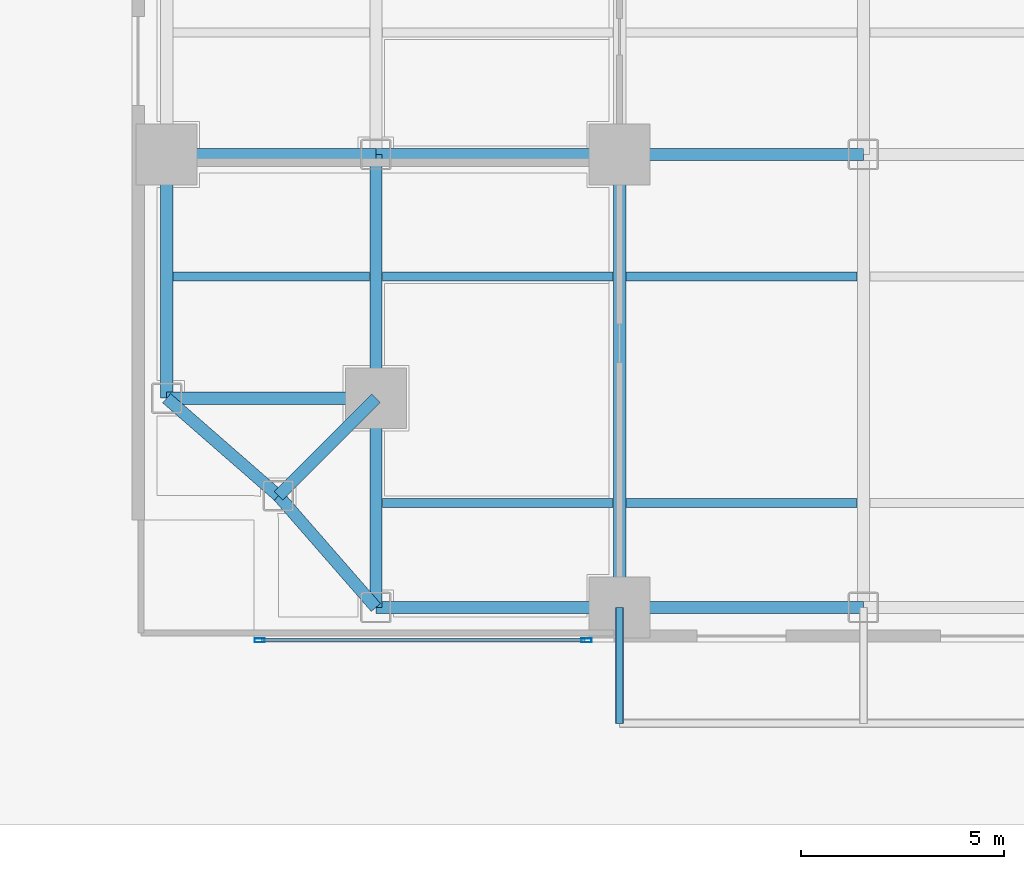
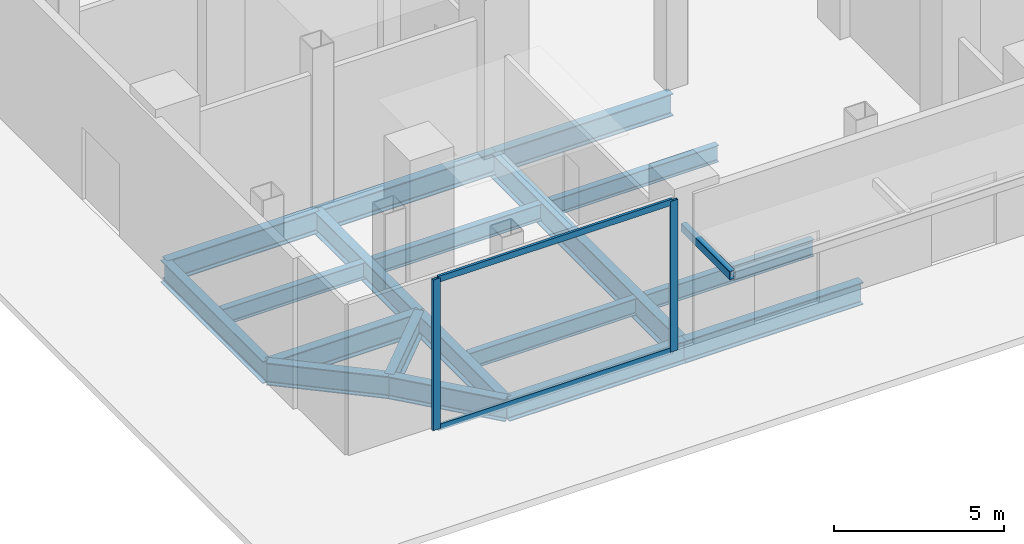
# One storey, part 3 of 27: 19 beams, 4 members, 1 element without a shape of its own.
"""IFC4 building model written with IfcOpenShell, lengths in metres."""

from ifc_helpers import new_model, si_unit, direction, frame, origin, origin_2d, place, context, subcontext, project, spatial, hollow_rectangle, i_section, extrude, material, layer, layer_set, material_profile, profile_set, type_object, element, aggregate, save


model = new_model("IFC4")

# Units and contexts
model_context = context("Model", 3, precision=1e-05, world=origin(), true_north=direction((0.0, 1.0)))
body_context = subcontext(model_context, "Body", "Model", "MODEL_VIEW")
ifc_project = project(units=[si_unit("LENGTHUNIT", "METRE"), si_unit("AREAUNIT", "SQUARE_METRE"), si_unit("VOLUMEUNIT", "CUBIC_METRE"), si_unit("PLANEANGLEUNIT", "RADIAN"), si_unit("MASSUNIT", "GRAM", prefix="KILO"), si_unit("THERMODYNAMICTEMPERATUREUNIT", "KELVIN"), si_unit("POWERUNIT", "WATT")], contexts=[model_context])

# Site, building, storey
site_placement = place(None, origin())
site = spatial("IfcSite", under=ifc_project, at=site_placement, CompositionType="ELEMENT")
building_placement = place(site_placement, origin())
building = spatial("IfcBuilding", under=site, at=building_placement, Name="Svarakhadi Broadcast Tower", CompositionType="ELEMENT")
storey_placement = place(building_placement, origin())
storey = spatial("IfcBuildingStorey", under=building, at=storey_placement, Name="L00", CompositionType="ELEMENT", Elevation=0.0)

# Beams
ifc_material_1 = material(Name="Steel S355J2 (IS 2062 E350C)", Category="steel")
ifc_material_profile_1 = material_profile(ifc_material_1, i_section(OverallWidth=0.219970703125, OverallDepth=0.60009765625, WebThickness=0.011962890625, FlangeThickness=0.01904296875, FilletRadius=0.02392578125, at=origin_2d()), Name="NPB 600x220x122")
ifc_profile_set_1 = profile_set([ifc_material_profile_1], Name="Steel S355J2 (IS 2062 E350C)")
beam_type_1 = type_object("IfcBeamType", Name="Beam_NPB600", PredefinedType="BEAM", material=ifc_profile_set_1)
beam_1_placement = place(storey_placement, frame((1.010009765625, 9.0, -0.64990234375), z_axis=(1.0, 0.0, 0.0), x_axis=(0.0, 1.0, 0.0)))
element("IfcBeam", 1, at=beam_1_placement, inside=storey, type_object=beam_type_1, Name="L00 Secondary Composite Beam SB001", PredefinedType="BEAM", context=body_context, shape_type="SweptSolid", body=[
    extrude(i_section(OverallWidth=0.219970703125, OverallDepth=0.60009765625, WebThickness=0.011962890625, FlangeThickness=0.01904296875, FilletRadius=0.02392578125, at=origin_2d()), origin(), (0.0, 0.0, 1.0), 4.830078125),
])
for number, where, z_axis, x_axis, name in (
    (2, (6.159912109375, 3.425048828125, -0.64990234375), (1.0, 0.0, 0.0), (0.0, 1.0, 0.0), "L00 Secondary Composite Beam SB007"),
    (3, (6.159912109375, 9.0, -0.64990234375), (1.0, 0.0, 0.0), (0.0, 1.0, 0.0), "L00 Secondary Composite Beam SB008"),
    (4, (12.159912109375, 3.425048828125, -0.64990234375), (1.0, 0.0, 0.0), (0.0, 1.0, 0.0), "L00 Secondary Composite Beam SB010"),
    (5, (12.159912109375, 9.0, -0.64990234375), (1.0, 0.0, 0.0), (0.0, 1.0, 0.0), "L00 Secondary Composite Beam SB011"),
):
    element("IfcBeam", number, at=place(storey_placement, frame(where, z_axis=z_axis, x_axis=x_axis)), inside=storey, type_object=beam_type_1, Name=name, PredefinedType="BEAM", context=body_context, shape_type="SweptSolid", body=[
        extrude(i_section(OverallWidth=0.219970703125, OverallDepth=0.60009765625, WebThickness=0.011962890625, FlangeThickness=0.01904296875, FilletRadius=0.02392578125, at=origin_2d()), origin(), (0.0, 0.0, 1.0), 5.68017578125),
    ])

# Curtain wall, members
ifc_material_2 = material(Name="Anodised Bronze Aluminium AA 6063-T6", Category="aluminium")
ifc_layer = layer(ifc_material_2, 0.25)
ifc_layer_set = layer_set([ifc_layer], Name="Anodised Bronze Aluminium AA 6063-T6")
curtain_wall_type = type_object("IfcCurtainWallType", Name="CW_Sys_01", PredefinedType="NOTDEFINED", material=ifc_layer_set)
curtain_wall_placement = place(storey_placement, origin())
curtain_wall = element("IfcCurtainWall", 6, at=curtain_wall_placement, inside=storey, type_object=curtain_wall_type, Name="L00 Podium Glazed Curtain Wall 01", PredefinedType="NOTDEFINED")
ifc_material_profile_2 = material_profile(ifc_material_2, hollow_rectangle(XDim=0.094970703125, YDim=0.25, WallThickness=0.006103515625, at=origin_2d()), Name="ALU MULLION 250x95x6")
ifc_profile_set_2 = profile_set([ifc_material_profile_2], Name="Anodised Bronze Aluminium AA 6063-T6")
member_type_1 = type_object("IfcMemberType", Name="CW_Sys_01_Mul", PredefinedType="MULLION", material=ifc_profile_set_2)
member_1_placement = place(storey_placement, frame((11.1826171875, 0.0400390625, 0.0), z_axis=(0.0, 0.0, 1.0), x_axis=(0.0, -1.0, 0.0)))
member_1 = element("IfcMember", 7, at=member_1_placement, type_object=member_type_1, Name="CW-01 mullion 1", PredefinedType="MULLION", context=body_context, shape_type="SweptSolid", body=[
    extrude(hollow_rectangle(XDim=0.094970703125, YDim=0.25, WallThickness=0.006103515625, at=origin_2d()), origin(), (0.0, 0.0, 1.0), 5.39990234375),
])
member_2_placement = place(storey_placement, frame((3.137451171875, 0.0400390625, 0.0), z_axis=(0.0, 0.0, 1.0), x_axis=(0.0, -1.0, 0.0)))
member_2 = element("IfcMember", 8, at=member_2_placement, type_object=member_type_1, Name="CW-01 mullion 2", PredefinedType="MULLION", context=body_context, shape_type="SweptSolid", body=[
    extrude(hollow_rectangle(XDim=0.094970703125, YDim=0.25, WallThickness=0.006103515625, at=origin_2d()), origin(), (0.0, 0.0, 1.0), 5.39990234375),
])
ifc_material_profile_3 = material_profile(ifc_material_2, hollow_rectangle(XDim=0.0849609375, YDim=0.219970703125, WallThickness=0.0048828125, at=origin_2d()), Name="ALU TRANSOM 220x85x5")
ifc_profile_set_3 = profile_set([ifc_material_profile_3], Name="Anodised Bronze Aluminium AA 6063-T6")
member_type_2 = type_object("IfcMemberType", Name="CW_Sys_01_Trn", PredefinedType="USERDEFINED", material=ifc_profile_set_3)
member_3_placement = place(storey_placement, frame((11.135009765625, 0.0400390625, 0.04248046875), z_axis=(-1.0, 0.0, 0.0), x_axis=(0.0, -1.0, 0.0)))
member_3 = element("IfcMember", 9, at=member_3_placement, type_object=member_type_2, Name="CW-01 transom 1.1", ObjectType="TRANSOM", PredefinedType="USERDEFINED", context=body_context, shape_type="SweptSolid", body=[
    extrude(hollow_rectangle(XDim=0.0849609375, YDim=0.219970703125, WallThickness=0.0048828125, at=origin_2d()), origin(), (0.0, 0.0, 1.0), 7.949951171875),
])
member_4_placement = place(storey_placement, frame((11.135009765625, 0.0400390625, 5.357421875), z_axis=(-1.0, 0.0, 0.0), x_axis=(0.0, -1.0, 0.0)))
member_4 = element("IfcMember", 10, at=member_4_placement, type_object=member_type_2, Name="CW-01 transom 1.2", ObjectType="TRANSOM", PredefinedType="USERDEFINED", context=body_context, shape_type="SweptSolid", body=[
    extrude(hollow_rectangle(XDim=0.0849609375, YDim=0.219970703125, WallThickness=0.0048828125, at=origin_2d()), origin(), (0.0, 0.0, 1.0), 7.949951171875),
])
aggregate(curtain_wall, [member_1, member_2, member_3, member_4])

# Beams
ifc_material_profile_4 = material_profile(ifc_material_1, i_section(OverallWidth=0.300048828125, OverallDepth=0.800048828125, WebThickness=0.017578125, FlangeThickness=0.032958984375, FilletRadius=0.030029296875, at=origin_2d()), Name="WPB 800x300x262")
ifc_profile_set_4 = profile_set([ifc_material_profile_4], Name="Steel S355J2 (IS 2062 E350C)")
beam_type_2 = type_object("IfcBeamType", Name="Girder_WPB800", PredefinedType="USERDEFINED", material=ifc_profile_set_4)
beam_2_placement = place(storey_placement, frame((3.60009765625, 3.60009765625, -0.75), z_axis=(0.707106781187, 0.707106781187, 0.0), x_axis=(-0.707106781187, 0.707106781187, 0.0)))
element("IfcBeam", 11, at=beam_2_placement, inside=storey, type_object=beam_type_2, Name="L00 Corner Tie Girder G001", ObjectType="GIRDER", PredefinedType="USERDEFINED", context=body_context, shape_type="SweptSolid", body=[
    extrude(i_section(OverallWidth=0.300048828125, OverallDepth=0.800048828125, WebThickness=0.017578125, FlangeThickness=0.032958984375, FilletRadius=0.030029296875, at=origin_2d()), origin(), (0.0, 0.0, 1.0), 3.39404296875),
])
for number, where, z_axis, x_axis, name in (
    (12, (3.60009765625, 3.60009765625, -0.75), (-0.753437912176, 0.657519058655, 0.0), (-0.657519058655, -0.753437912176, 0.0), "L00 Corner Tie Girder G002"),
    (13, (3.60009765625, 3.60009765625, -0.75), (0.657519058655, -0.753437912176, 0.0), (0.753437912176, 0.657519058655, 0.0), "L00 Corner Tie Girder G003"),
):
    element("IfcBeam", number, at=place(storey_placement, frame(where, z_axis=z_axis, x_axis=x_axis)), inside=storey, type_object=beam_type_2, Name=name, ObjectType="GIRDER", PredefinedType="USERDEFINED", context=body_context, shape_type="SweptSolid", body=[
        extrude(i_section(OverallWidth=0.300048828125, OverallDepth=0.800048828125, WebThickness=0.017578125, FlangeThickness=0.032958984375, FilletRadius=0.030029296875, at=origin_2d()), origin(), (0.0, 0.0, 1.0), 3.64990234375),
    ])
for number, where, z_axis, x_axis, name in (
    (14, (6.0, 0.85009765625, -0.75), (1.0, 0.0, 0.0), (0.0, 1.0, 0.0), "L00 Primary E-W Girder G004"),
    (15, (12.0, 0.85009765625, -0.75), (1.0, 0.0, 0.0), (0.0, 1.0, 0.0), "L00 Primary E-W Girder G005"),
):
    element("IfcBeam", number, at=place(storey_placement, frame(where, z_axis=z_axis, x_axis=x_axis)), inside=storey, type_object=beam_type_2, Name=name, ObjectType="GIRDER", PredefinedType="USERDEFINED", context=body_context, shape_type="SweptSolid", body=[
        extrude(i_section(OverallWidth=0.300048828125, OverallDepth=0.800048828125, WebThickness=0.017578125, FlangeThickness=0.032958984375, FilletRadius=0.030029296875, at=origin_2d()), origin(), (0.0, 0.0, 1.0), 6.0),
    ])
for number, where, z_axis, x_axis, name in (
    (16, (0.85009765625, 6.0, -0.75), (1.0, 0.0, 0.0), (0.0, 1.0, 0.0), "L00 Primary E-W Girder G012"),
    (17, (0.85009765625, 12.0, -0.75), (1.0, 0.0, 0.0), (0.0, 1.0, 0.0), "L00 Primary E-W Girder G014"),
):
    element("IfcBeam", number, at=place(storey_placement, frame(where, z_axis=z_axis, x_axis=x_axis)), inside=storey, type_object=beam_type_2, Name=name, ObjectType="GIRDER", PredefinedType="USERDEFINED", context=body_context, shape_type="SweptSolid", body=[
        extrude(i_section(OverallWidth=0.300048828125, OverallDepth=0.800048828125, WebThickness=0.017578125, FlangeThickness=0.032958984375, FilletRadius=0.030029296875, at=origin_2d()), origin(), (0.0, 0.0, 1.0), 5.14990234375),
    ])
for number, where, z_axis, x_axis, name in (
    (18, (6.0, 12.0, -0.75), (1.0, 0.0, 0.0), (0.0, 1.0, 0.0), "L00 Primary E-W Girder G015"),
    (19, (12.0, 12.0, -0.75), (1.0, 0.0, 0.0), (0.0, 1.0, 0.0), "L00 Primary E-W Girder G016"),
    (20, (0.85009765625, 6.0, -0.75), (0.0, 1.0, 0.0), (-1.0, 0.0, 0.0), "L00 Primary N-S Girder G044"),
):
    element("IfcBeam", number, at=place(storey_placement, frame(where, z_axis=z_axis, x_axis=x_axis)), inside=storey, type_object=beam_type_2, Name=name, ObjectType="GIRDER", PredefinedType="USERDEFINED", context=body_context, shape_type="SweptSolid", body=[
        extrude(i_section(OverallWidth=0.300048828125, OverallDepth=0.800048828125, WebThickness=0.017578125, FlangeThickness=0.032958984375, FilletRadius=0.030029296875, at=origin_2d()), origin(), (0.0, 0.0, 1.0), 6.0),
    ])
beam_3_placement = place(storey_placement, frame((6.0, 0.85009765625, -0.75), z_axis=(0.0, 1.0, 0.0), x_axis=(-1.0, 0.0, 0.0)))
element("IfcBeam", 21, at=beam_3_placement, inside=storey, type_object=beam_type_2, Name="L00 Primary N-S Girder G050", ObjectType="GIRDER", PredefinedType="USERDEFINED", context=body_context, shape_type="SweptSolid", body=[
    extrude(i_section(OverallWidth=0.300048828125, OverallDepth=0.800048828125, WebThickness=0.017578125, FlangeThickness=0.032958984375, FilletRadius=0.030029296875, at=origin_2d()), origin(), (0.0, 0.0, 1.0), 5.14990234375),
])
beam_4_placement = place(storey_placement, frame((6.0, 6.0, -0.75), z_axis=(0.0, 1.0, 0.0), x_axis=(-1.0, 0.0, 0.0)))
element("IfcBeam", 22, at=beam_4_placement, inside=storey, type_object=beam_type_2, Name="L00 Primary N-S Girder G051", ObjectType="GIRDER", PredefinedType="USERDEFINED", context=body_context, shape_type="SweptSolid", body=[
    extrude(i_section(OverallWidth=0.300048828125, OverallDepth=0.800048828125, WebThickness=0.017578125, FlangeThickness=0.032958984375, FilletRadius=0.030029296875, at=origin_2d()), origin(), (0.0, 0.0, 1.0), 6.0),
])
ifc_material_3 = material(Name="Steel S460ML (IS 2062 E450BR)", Category="steel")
ifc_material_profile_5 = material_profile(ifc_material_3, i_section(OverallWidth=0.300048828125, OverallDepth=0.89990234375, WebThickness=0.0185546875, FlangeThickness=0.034912109375, FilletRadius=0.030029296875, at=origin_2d()), Name="WPB 900x300x291")
ifc_profile_set_5 = profile_set([ifc_material_profile_5], Name="Steel S460ML (IS 2062 E450BR)")
beam_type_3 = type_object("IfcBeamType", Name="Girder_WPB900", PredefinedType="USERDEFINED", material=ifc_profile_set_5)
beam_5_placement = place(storey_placement, frame((12.0, 0.85009765625, -0.800048828125), z_axis=(0.0, 1.0, 0.0), x_axis=(-1.0, 0.0, 0.0)))
element("IfcBeam", 23, at=beam_5_placement, inside=storey, type_object=beam_type_3, Name="L00 Primary N-S Girder G057", ObjectType="GIRDER", PredefinedType="USERDEFINED", context=body_context, shape_type="SweptSolid", body=[
    extrude(i_section(OverallWidth=0.300048828125, OverallDepth=0.89990234375, WebThickness=0.0185546875, FlangeThickness=0.034912109375, FilletRadius=0.030029296875, at=origin_2d()), origin(), (0.0, 0.0, 1.0), 11.14990234375),
])
ifc_material_profile_6 = material_profile(ifc_material_3, hollow_rectangle(XDim=0.199951171875, YDim=0.300048828125, WallThickness=0.012451171875, InnerFilletRadius=0.012451171875, OuterFilletRadius=0.02490234375, at=origin_2d()), Name="RHS 300x200x12.5")
ifc_profile_set_6 = profile_set([ifc_material_profile_6], Name="Steel S460ML (IS 2062 E450BR)")
beam_type_4 = type_object("IfcBeamType", Name="Spandrel_RHS300", PredefinedType="SPANDREL", material=ifc_profile_set_6)
beam_6_placement = place(storey_placement, frame((12.0, 0.85009765625, 3.64990234375), z_axis=(0.0, -1.0, 0.0), x_axis=(1.0, 0.0, 0.0)))
element("IfcBeam", 24, at=beam_6_placement, inside=storey, type_object=beam_type_4, Name="L00 Entrance Canopy Cantilever Bracket Beam 1", PredefinedType="SPANDREL", context=body_context, shape_type="SweptSolid", body=[
    extrude(hollow_rectangle(XDim=0.199951171875, YDim=0.300048828125, WallThickness=0.012451171875, InnerFilletRadius=0.012451171875, OuterFilletRadius=0.02490234375, at=origin_2d()), origin(), (0.0, 0.0, 1.0), 2.85009765625),
])

save(model, "model.ifc")
